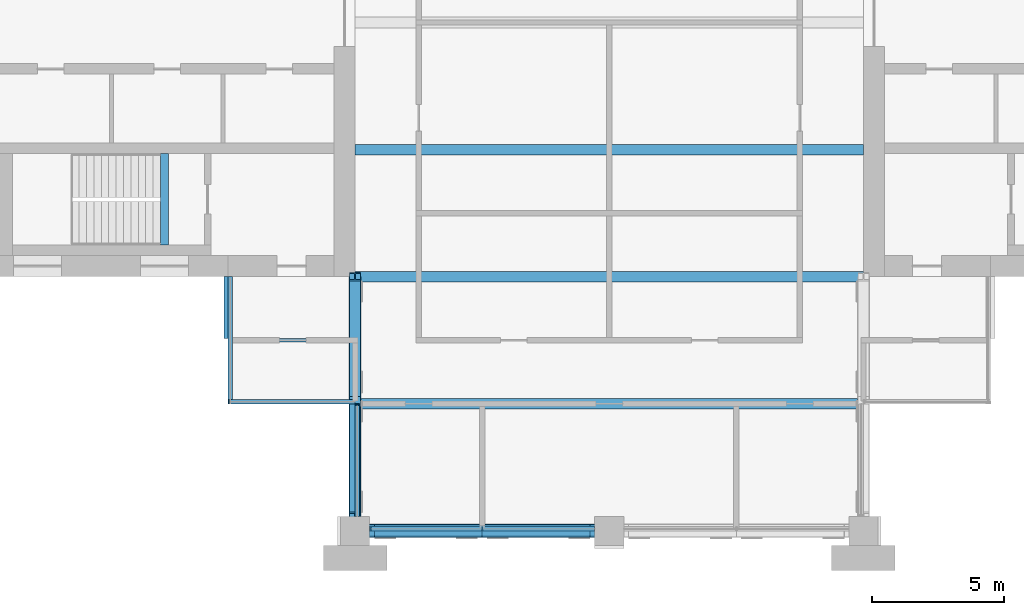
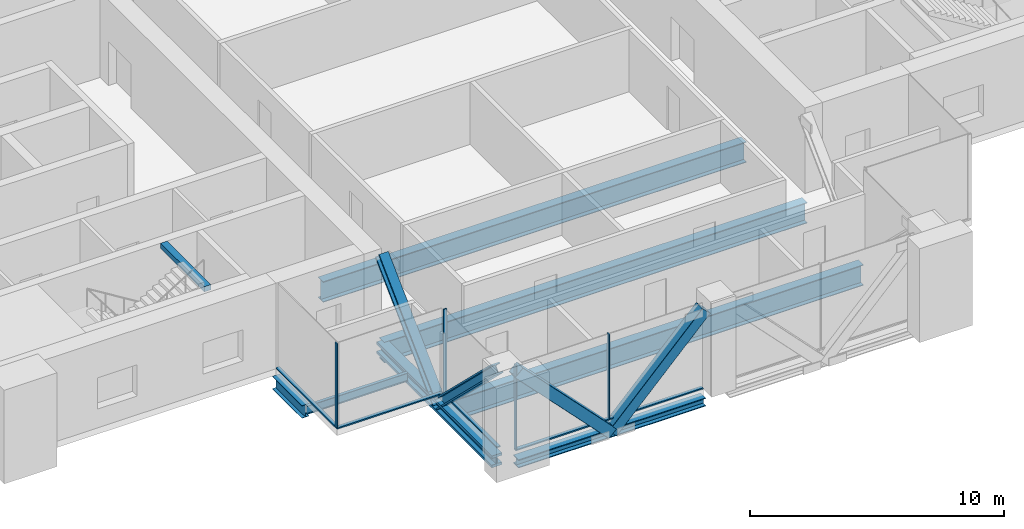
# One storey, part 2 of 13: 12 members, 8 beams, 4 elements without a shape of their own.
"""IFC4 building model written with IfcOpenShell, lengths in metres."""

from ifc_helpers import new_model, si_unit, direction, frame, origin, origin_2d, place, context, subcontext, project, spatial, rectangle, hollow_rectangle, i_section, extrude, material, material_profile, profile_set, type_object, element, aggregate, save


model = new_model("IFC4")

# Units and contexts
model_context = context("Model", 3, precision=1e-05, world=origin(), true_north=direction((0.0, 1.0)))
body_context = subcontext(model_context, "Body", "Model", "MODEL_VIEW")
ifc_project = project(units=[si_unit("LENGTHUNIT", "METRE"), si_unit("AREAUNIT", "SQUARE_METRE"), si_unit("VOLUMEUNIT", "CUBIC_METRE"), si_unit("PLANEANGLEUNIT", "RADIAN"), si_unit("MASSUNIT", "GRAM", prefix="KILO")], contexts=[model_context])

# Site, building, storey
site_placement = place(None, origin())
site = spatial("IfcSite", under=ifc_project, at=site_placement, CompositionType="ELEMENT")
building_placement = place(site_placement, origin())
building = spatial("IfcBuilding", under=site, at=building_placement, Name="Baori Bourse Tower", CompositionType="ELEMENT")
storey_placement = place(building_placement, frame((0.0, 0.0, 265.199951171875)))
storey = spatial("IfcBuildingStorey", under=building, at=storey_placement, Name="L59", CompositionType="ELEMENT", Elevation=265.199951171875)

# Beam
ifc_material_1 = material(Name="Steel A913 Gr 65", Category="steel")
ifc_material_profile_1 = material_profile(ifc_material_1, i_section(OverallWidth=0.4013671875, OverallDepth=0.398681640625, WebThickness=0.02490234375, FlangeThickness=0.03955078125, at=origin_2d()), Name="W14x211")
ifc_profile_set_1 = profile_set([ifc_material_profile_1], Name="Steel A913 Gr 65")
beam_type_1 = type_object("IfcBeamType", Name="Belt truss chord W14x211", PredefinedType="BEAM", material=ifc_profile_set_1)
beam_1_placement = place(storey_placement, frame((19.75, 0.0, -0.499267578125), z_axis=(1.0, 0.0, 0.0), x_axis=(0.0, 1.0, 0.0)))
element("IfcBeam", 1, at=beam_1_placement, inside=storey, type_object=beam_type_1, Name="Belt truss chord L59", PredefinedType="BEAM", context=body_context, shape_type="SweptSolid", body=[
    extrude(i_section(OverallWidth=0.4013671875, OverallDepth=0.398681640625, WebThickness=0.02490234375, FlangeThickness=0.03955078125, at=origin_2d()), origin(), (0.0, 0.0, 1.0), 8.5),
])

# Members
ifc_material_2 = material(Name="Steel A500 Gr C", Category="steel")
ifc_material_profile_2 = material_profile(ifc_material_2, hollow_rectangle(XDim=0.508056640625, YDim=0.508056640625, WallThickness=0.0146484375, InnerFilletRadius=0.00732421875, OuterFilletRadius=0.022216796875, at=origin_2d()), Name="HSS20x20x5/8")
ifc_profile_set_2 = profile_set([ifc_material_profile_2], Name="Steel A500 Gr C")
member_type_1 = type_object("IfcMemberType", Name="Belt truss diagonal HSS20x20x5/8", PredefinedType="BRACE", material=ifc_profile_set_2)
for number, where, z_axis, x_axis, name in (
    (2, (19.75, 0.0, 3.900634765625), (0.694748340564, 0.0, -0.719252906344), (0.0, 1.0, 0.0), "Belt truss diagonal L59"),
    (3, (24.0, 0.0, -0.499267578125), (0.694748340564, 0.0, 0.719252906344), (0.0, 1.0, 0.0), "Belt truss diagonal L59"),
):
    element("IfcMember", number, at=place(storey_placement, frame(where, z_axis=z_axis, x_axis=x_axis)), inside=storey, type_object=member_type_1, Name=name, PredefinedType="BRACE", context=body_context, shape_type="SweptSolid", body=[
        extrude(hollow_rectangle(XDim=0.508056640625, YDim=0.508056640625, WallThickness=0.0146484375, InnerFilletRadius=0.00732421875, OuterFilletRadius=0.022216796875, at=origin_2d()), origin(), (0.0, 0.0, 1.0), 6.117431640625),
    ])

# Curtain wall, member
ifc_material_3 = material(Name="Pale anodised aluminium", Category="aluminium")
curtain_wall_type = type_object("IfcCurtainWallType", Name="CW3 Curtain wall", PredefinedType="NOTDEFINED", material=ifc_material_3)
curtain_wall_1_placement = place(storey_placement, origin())
curtain_wall_1 = element("IfcCurtainWall", 4, at=curtain_wall_1_placement, inside=storey, type_object=curtain_wall_type, Name="Curtain wall CW3 L59 9", PredefinedType="NOTDEFINED")
ifc_material_4 = material(Name="Pale anodised aluminium", Category="aluminium")
ifc_material_profile_3 = material_profile(ifc_material_4, rectangle(XDim=0.159912109375, YDim=0.050048828125, at=origin_2d()), Name="Mullion 50x160")
ifc_profile_set_3 = profile_set([ifc_material_profile_3], Name="Pale anodised aluminium")
member_type_2 = type_object("IfcMemberType", Name="CW3 Curtain wall mullion", PredefinedType="MULLION", material=ifc_profile_set_3)
member_1_placement = place(storey_placement, frame((14.425048828125, 4.8798828125, 0.06005859375), z_axis=(0.0, 0.0, 1.0), x_axis=(0.0, 1.0, 0.0)))
member_1 = element("IfcMember", 5, at=member_1_placement, type_object=member_type_2, Name="Curtain wall CW3 mullion", PredefinedType="MULLION", context=body_context, shape_type="SweptSolid", body=[
    extrude(rectangle(XDim=0.159912109375, YDim=0.050048828125, at=origin_2d()), origin(), (0.0, 0.0, 1.0), 4.0400390625),
])

curtain_wall_2_placement = place(storey_placement, origin())
curtain_wall_2 = element("IfcCurtainWall", 6, at=curtain_wall_2_placement, inside=storey, type_object=curtain_wall_type, Name="Curtain wall CW3 L59 10", PredefinedType="NOTDEFINED")
member_2_placement = place(storey_placement, frame((19.280029296875, 4.77490234375, 0.06005859375), z_axis=(0.0, 0.0, 1.0), x_axis=(1.0, 0.0, 0.0)))
member_2 = element("IfcMember", 7, at=member_2_placement, type_object=member_type_2, Name="Curtain wall CW3 mullion", PredefinedType="MULLION", context=body_context, shape_type="SweptSolid", body=[
    extrude(rectangle(XDim=0.159912109375, YDim=0.050048828125, at=origin_2d()), origin(), (0.0, 0.0, 1.0), 4.0400390625),
])

# Curtain wall, members
curtain_wall_3_placement = place(storey_placement, origin())
curtain_wall_3 = element("IfcCurtainWall", 8, at=curtain_wall_3_placement, inside=storey, type_object=curtain_wall_type, Name="Curtain wall CW3 L59 11", PredefinedType="NOTDEFINED")
member_3_placement = place(storey_placement, frame((19.77490234375, 0.080078125, 0.06005859375), z_axis=(0.0, 0.0, 1.0), x_axis=(0.0, 1.0, 0.0)))
member_3 = element("IfcMember", 9, at=member_3_placement, type_object=member_type_2, Name="Curtain wall CW3 mullion", PredefinedType="MULLION", context=body_context, shape_type="SweptSolid", body=[
    extrude(rectangle(XDim=0.159912109375, YDim=0.050048828125, at=origin_2d()), origin(), (0.0, 0.0, 1.0), 4.0400390625),
])
member_4_placement = place(storey_placement, frame((24.0, 0.080078125, 0.06005859375), z_axis=(0.0, 0.0, 1.0), x_axis=(0.0, 1.0, 0.0)))
member_4 = element("IfcMember", 10, at=member_4_placement, type_object=member_type_2, Name="Curtain wall CW3 mullion", PredefinedType="MULLION", context=body_context, shape_type="SweptSolid", body=[
    extrude(rectangle(XDim=0.159912109375, YDim=0.050048828125, at=origin_2d()), origin(), (0.0, 0.0, 1.0), 4.0400390625),
])

# Curtain wall, member
curtain_wall_4_placement = place(storey_placement, origin())
curtain_wall_4 = element("IfcCurtainWall", 11, at=curtain_wall_4_placement, inside=storey, type_object=curtain_wall_type, Name="Curtain wall CW3 L59 8", PredefinedType="NOTDEFINED")
ifc_material_5 = material(Name="Pale anodised aluminium", Category="aluminium")
ifc_material_profile_4 = material_profile(ifc_material_5, rectangle(XDim=0.159912109375, YDim=0.06005859375, at=origin_2d()), Name="Transom 60x160")
ifc_profile_set_4 = profile_set([ifc_material_profile_4], Name="Pale anodised aluminium")
member_type_3 = type_object("IfcMemberType", Name="CW3 Curtain wall transom", PredefinedType="USERDEFINED", material=ifc_profile_set_4)
member_5_placement = place(storey_placement, frame((14.47998046875, 9.60009765625, 0.030029296875), z_axis=(0.0, -1.0, 0.0), x_axis=(1.0, 0.0, 0.0)))
member_5 = element("IfcMember", 12, at=member_5_placement, type_object=member_type_3, Name="Curtain wall CW3 sill rail", ObjectType="TRANSOM", PredefinedType="USERDEFINED", context=body_context, shape_type="SweptSolid", body=[
    extrude(rectangle(XDim=0.159912109375, YDim=0.06005859375, at=origin_2d()), origin(), (0.0, 0.0, 1.0), 4.800048828125),
])
aggregate(curtain_wall_4, [member_5])

# Member
member_6_placement = place(storey_placement, frame((14.39990234375, 4.8798828125, 0.030029296875), z_axis=(1.0, 0.0, 0.0), x_axis=(0.0, 1.0, 0.0)))
member_6 = element("IfcMember", 13, at=member_6_placement, type_object=member_type_3, Name="Curtain wall CW3 sill rail", ObjectType="TRANSOM", PredefinedType="USERDEFINED", context=body_context, shape_type="SweptSolid", body=[
    extrude(rectangle(XDim=0.159912109375, YDim=0.06005859375, at=origin_2d()), origin(), (0.0, 0.0, 1.0), 4.800048828125),
])

aggregate(curtain_wall_1, [member_6, member_1])

member_7_placement = place(storey_placement, frame((19.280029296875, 4.800048828125, 0.030029296875), z_axis=(0.0, -1.0, 0.0), x_axis=(1.0, 0.0, 0.0)))
member_7 = element("IfcMember", 14, at=member_7_placement, type_object=member_type_3, Name="Curtain wall CW3 sill rail", ObjectType="TRANSOM", PredefinedType="USERDEFINED", context=body_context, shape_type="SweptSolid", body=[
    extrude(rectangle(XDim=0.159912109375, YDim=0.06005859375, at=origin_2d()), origin(), (0.0, 0.0, 1.0), 4.25),
])

aggregate(curtain_wall_2, [member_7, member_2])

member_8_placement = place(storey_placement, frame((19.75, 0.080078125, 0.030029296875), z_axis=(1.0, 0.0, 0.0), x_axis=(0.0, 1.0, 0.0)))
member_8 = element("IfcMember", 15, at=member_8_placement, type_object=member_type_3, Name="Curtain wall CW3 sill rail", ObjectType="TRANSOM", PredefinedType="USERDEFINED", context=body_context, shape_type="SweptSolid", body=[
    extrude(rectangle(XDim=0.159912109375, YDim=0.06005859375, at=origin_2d()), origin(), (0.0, 0.0, 1.0), 8.5),
])

aggregate(curtain_wall_3, [member_8, member_3, member_4])

# Beams
ifc_material_6 = material(Name="Steel A992 Gr 50", Category="steel")
ifc_material_profile_5 = material_profile(ifc_material_6, i_section(OverallWidth=0.3251953125, OverallDepth=0.612060546875, WebThickness=0.0126953125, FlangeThickness=0.01904296875, at=origin_2d()), Name="W24x104")
ifc_profile_set_5 = profile_set([ifc_material_profile_5], Name="Steel A992 Gr 50")
beam_type_2 = type_object("IfcBeamType", Name="Core bracket W24x104", PredefinedType="BEAM", material=ifc_profile_set_5)
beam_2_placement = place(storey_placement, frame((14.39990234375, 7.270263671875, -0.60595703125), z_axis=(0.0, 1.0, 0.0), x_axis=(-1.0, 0.0, 0.0)))
element("IfcBeam", 16, at=beam_2_placement, inside=storey, type_object=beam_type_2, Name="Core bracket L59", PredefinedType="BEAM", context=body_context, shape_type="SweptSolid", body=[
    extrude(i_section(OverallWidth=0.3251953125, OverallDepth=0.612060546875, WebThickness=0.0126953125, FlangeThickness=0.01904296875, at=origin_2d()), origin(), (0.0, 0.0, 1.0), 2.329833984375),
])
ifc_material_7 = material(Name="Steel A992 Gr 50", Category="steel")
ifc_material_profile_6 = material_profile(ifc_material_7, i_section(OverallWidth=0.4013671875, OverallDepth=0.990478515625, WebThickness=0.0166015625, FlangeThickness=0.031005859375, at=origin_2d()), Name="W40x215")
ifc_profile_set_6 = profile_set([ifc_material_profile_6], Name="Steel A992 Gr 50")
beam_type_3 = type_object("IfcBeamType", Name="Floor beam W40x215", PredefinedType="BEAM", material=ifc_profile_set_6)
beam_3_placement = place(storey_placement, frame((19.42724609375, 4.800048828125, -0.795166015625), z_axis=(1.0, 0.0, 0.0), x_axis=(0.0, 1.0, 0.0)))
element("IfcBeam", 17, at=beam_3_placement, inside=storey, type_object=beam_type_3, Name="Floor beam L59", PredefinedType="BEAM", context=body_context, shape_type="SweptSolid", body=[
    extrude(i_section(OverallWidth=0.4013671875, OverallDepth=0.990478515625, WebThickness=0.0166015625, FlangeThickness=0.031005859375, at=origin_2d()), origin(), (0.0, 0.0, 1.0), 18.745361328125),
])
for number, where, z_axis, x_axis, name in (
    (18, (19.199951171875, 9.60009765625, -0.795166015625), (1.0, 0.0, 0.0), (0.0, 1.0, 0.0), "Floor beam L59"),
    (19, (19.199951171875, 14.39990234375, -0.795166015625), (1.0, 0.0, 0.0), (0.0, 1.0, 0.0), "Floor beam L59"),
):
    element("IfcBeam", number, at=place(storey_placement, frame(where, z_axis=z_axis, x_axis=x_axis)), inside=storey, type_object=beam_type_3, Name=name, PredefinedType="BEAM", context=body_context, shape_type="SweptSolid", body=[
        extrude(i_section(OverallWidth=0.4013671875, OverallDepth=0.990478515625, WebThickness=0.0166015625, FlangeThickness=0.031005859375, at=origin_2d()), origin(), (0.0, 0.0, 1.0), 19.199951171875),
    ])
ifc_material_8 = material(Name="Steel A913 Gr 65", Category="steel")
ifc_material_profile_7 = material_profile(ifc_material_8, i_section(OverallWidth=0.45458984375, OverallDepth=0.56884765625, WebThickness=0.077880859375, FlangeThickness=0.124755859375, at=origin_2d()), Name="W14x730")
ifc_profile_set_7 = profile_set([ifc_material_profile_7], Name="Steel A913 Gr 65")
beam_type_4 = type_object("IfcBeamType", Name="Outrigger truss chord W14x730", PredefinedType="BEAM", material=ifc_profile_set_7)
beam_4_placement = place(storey_placement, frame((19.199951171875, 0.550048828125, -0.58447265625), z_axis=(0.0, 1.0, 0.0), x_axis=(-1.0, 0.0, 0.0)))
element("IfcBeam", 20, at=beam_4_placement, inside=storey, type_object=beam_type_4, Name="Outrigger truss chord L59", PredefinedType="BEAM", context=body_context, shape_type="SweptSolid", body=[
    extrude(i_section(OverallWidth=0.45458984375, OverallDepth=0.56884765625, WebThickness=0.077880859375, FlangeThickness=0.124755859375, at=origin_2d()), origin(), (0.0, 0.0, 1.0), 9.050048828125),
])

# Members
ifc_material_9 = material(Name="Steel A913 Gr 65", Category="steel")
ifc_material_profile_8 = material_profile(ifc_material_9, i_section(OverallWidth=0.419189453125, OverallDepth=0.45458984375, WebThickness=0.042236328125, FlangeThickness=0.067626953125, at=origin_2d()), Name="W14x370")
ifc_profile_set_8 = profile_set([ifc_material_profile_8], Name="Steel A913 Gr 65")
member_type_4 = type_object("IfcMemberType", Name="Outrigger truss diagonal W14x370", PredefinedType="BRACE", material=ifc_profile_set_8)
member_9_placement = place(storey_placement, frame((19.199951171875, 0.550048828125, 3.815673828125), z_axis=(0.0, 0.716920804848, -0.697154616693), x_axis=(-1.0, 0.0, 0.0)))
element("IfcMember", 21, at=member_9_placement, inside=storey, type_object=member_type_4, Name="Outrigger truss diagonal L59", PredefinedType="BRACE", context=body_context, shape_type="SweptSolid", body=[
    extrude(i_section(OverallWidth=0.419189453125, OverallDepth=0.45458984375, WebThickness=0.042236328125, FlangeThickness=0.067626953125, at=origin_2d()), origin(), (0.0, 0.0, 1.0), 6.3115234375),
])
member_10_placement = place(storey_placement, frame((19.199951171875, 5.074951171875, -0.58447265625), z_axis=(0.0, 0.71693960417, 0.697135283839), x_axis=(-1.0, 0.0, 0.0)))
element("IfcMember", 22, at=member_10_placement, inside=storey, type_object=member_type_4, Name="Outrigger truss diagonal L59", PredefinedType="BRACE", context=body_context, shape_type="SweptSolid", body=[
    extrude(i_section(OverallWidth=0.419189453125, OverallDepth=0.45458984375, WebThickness=0.042236328125, FlangeThickness=0.067626953125, at=origin_2d()), origin(), (0.0, 0.0, 1.0), 6.311767578125),
])

# Beams
ifc_material_10 = material(Name="Concrete f'c 50 MPa", Category="concrete")
ifc_material_profile_9 = material_profile(ifc_material_10, rectangle(XDim=0.300048828125, YDim=0.25, at=origin_2d()), Name="RC 300x250")
ifc_profile_set_9 = profile_set([ifc_material_profile_9], Name="Concrete f'c 50 MPa")
beam_type_5 = type_object("IfcBeamType", Name="Stair nib beam RC 300x250", PredefinedType="BEAM", material=ifc_profile_set_9)
beam_5_placement = place(storey_placement, frame((12.0, 10.800048828125, 3.97509765625), z_axis=(0.0, 1.0, 0.0), x_axis=(-1.0, 0.0, 0.0)))
element("IfcBeam", 23, at=beam_5_placement, inside=storey, type_object=beam_type_5, Name="Stair WA nib beam L60", PredefinedType="BEAM", context=body_context, shape_type="SweptSolid", body=[
    extrude(rectangle(XDim=0.300048828125, YDim=0.25, at=origin_2d()), origin(), (0.0, 0.0, 1.0), 3.449951171875),
])
ifc_material_11 = material(Name="Steel A992 Gr 50", Category="steel")
ifc_material_profile_10 = material_profile(ifc_material_11, i_section(OverallWidth=0.140380859375, OverallDepth=0.40380859375, WebThickness=0.007080078125, FlangeThickness=0.01123046875, at=origin_2d()), Name="W16x31")
ifc_profile_set_10 = profile_set([ifc_material_profile_10], Name="Steel A992 Gr 50")
beam_type_6 = type_object("IfcBeamType", Name="Trimmer beam W16x31", PredefinedType="BEAM", material=ifc_profile_set_10)
beam_6_placement = place(storey_placement, frame((14.39990234375, 7.199951171875, -0.501953125), z_axis=(1.0, 0.0, 0.0), x_axis=(0.0, 1.0, 0.0)))
element("IfcBeam", 24, at=beam_6_placement, inside=storey, type_object=beam_type_6, Name="Trimmer beam L59", PredefinedType="BEAM", context=body_context, shape_type="SweptSolid", body=[
    extrude(i_section(OverallWidth=0.140380859375, OverallDepth=0.40380859375, WebThickness=0.007080078125, FlangeThickness=0.01123046875, at=origin_2d()), origin(), (0.0, 0.0, 1.0), 4.57275390625),
])

save(model, "model.ifc")
